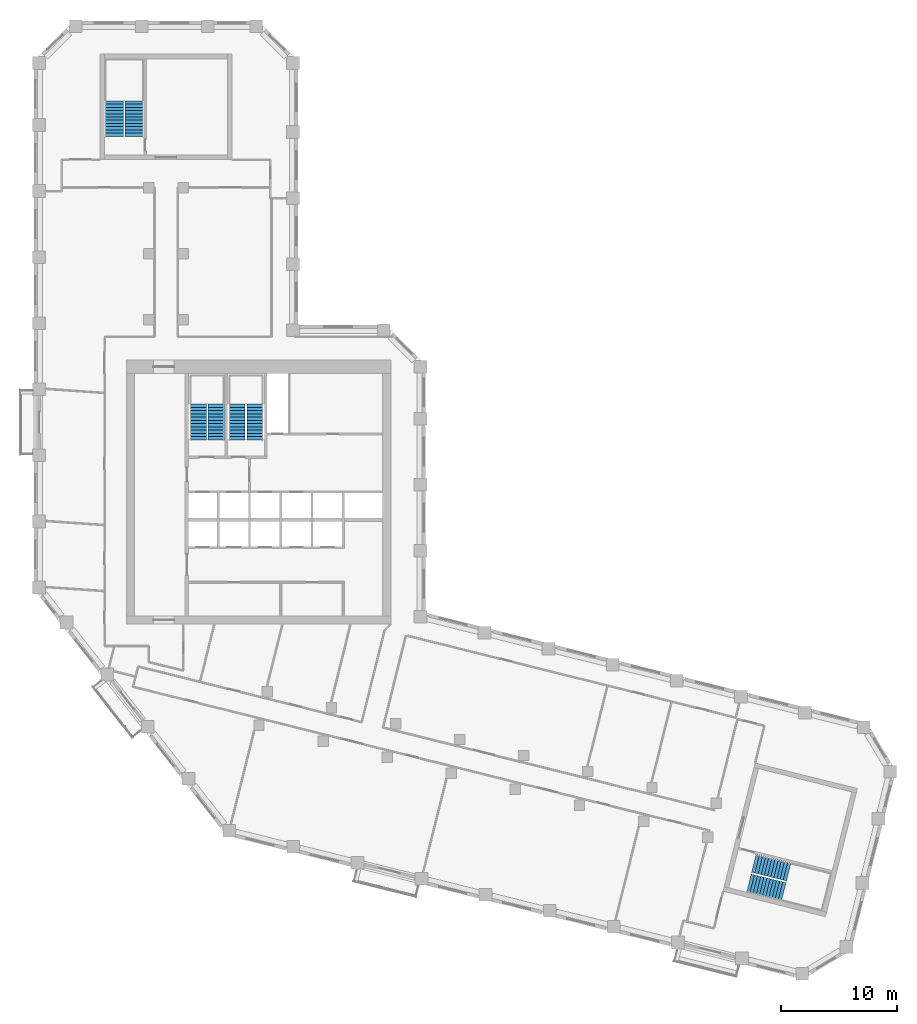
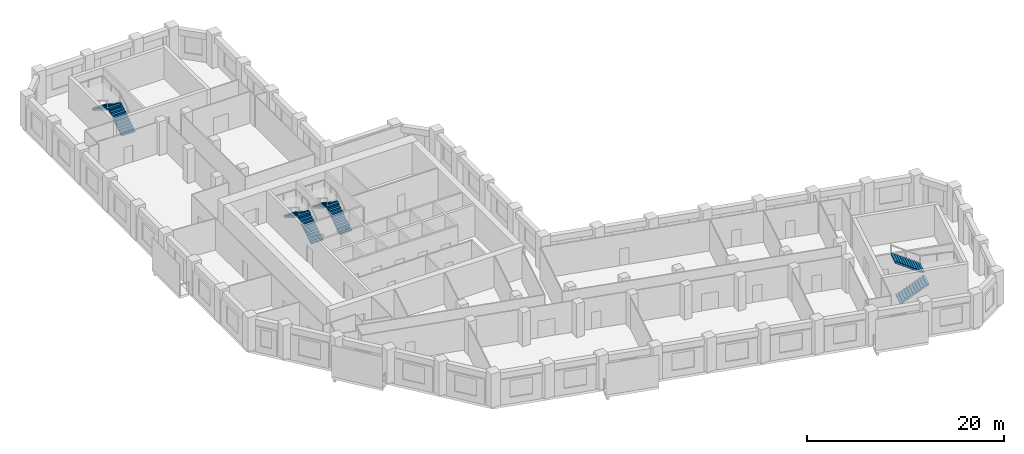
# One storey, part 9 of 10: 8 stair flights, 4 elements without a shape of their own.
"""IFC4 building model written with IfcOpenShell, lengths in metres."""

from ifc_helpers import new_model, si_unit, direction, frame, origin, place, context, subcontext, project, spatial, polyline, outline, extrude, material, type_object, element, aggregate, save


model = new_model("IFC4")

# Units and contexts
model_context = context("Model", 3, precision=1e-05, world=origin(), true_north=direction((0.0, 1.0)))
body_context = subcontext(model_context, "Body", "Model", "MODEL_VIEW")
ifc_project = project(units=[si_unit("LENGTHUNIT", "METRE"), si_unit("AREAUNIT", "SQUARE_METRE"), si_unit("VOLUMEUNIT", "CUBIC_METRE"), si_unit("PLANEANGLEUNIT", "RADIAN"), si_unit("MASSUNIT", "GRAM", prefix="KILO")], contexts=[model_context])

# Site, building, storey
site_placement = place(None, origin())
site = spatial("IfcSite", under=ifc_project, at=site_placement, CompositionType="ELEMENT")
building_placement = place(site_placement, origin())
building = spatial("IfcBuilding", under=site, at=building_placement, Name="Meshkara Civic Tower", CompositionType="ELEMENT")
storey_placement = place(building_placement, frame((0.0, 0.0, 267.60009765625)))
storey = spatial("IfcBuildingStorey", under=building, at=storey_placement, Name="L61", CompositionType="ELEMENT", Elevation=267.60009765625)

# Stair, stair flights
ifc_material_1 = material(Name="Precast concrete C40/50", Category="concrete")
stair_type_1 = type_object("IfcStairType", Name="Exit stair half-turn 24 risers 1600 precast", PredefinedType="HALF_TURN_STAIR", material=ifc_material_1)
stair_1_placement = place(storey_placement, origin())
stair_1 = element("IfcStair", 1, at=stair_1_placement, inside=storey, type_object=stair_type_1, Name="L61 exit stair A from L50", PredefinedType="HALF_TURN_STAIR")
ifc_material_2 = material(Name="Precast concrete C40/50", Category="concrete")
stair_flight_type_1 = type_object("IfcStairFlightType", Name="Exit stair flight 12 risers 1600 precast", PredefinedType="STRAIGHT", material=ifc_material_2)
stair_flight_1_placement = place(storey_placement, frame((8.675048828125, 56.169921875, 0.0), z_axis=(0.0, 0.0, 1.0), x_axis=(0.0, 1.0, 0.0)))
stair_flight_1 = element("IfcStairFlight", 2, at=stair_flight_1_placement, type_object=stair_flight_type_1, Name="ESA4 flight 1", NumberOfRisers=12, NumberOfTreads=11, PredefinedType="STRAIGHT", RiserHeight=0.175, TreadLength=0.28, context=body_context, shape_type="SweptSolid", body=[
    extrude(outline(polyline([(0.0, 0.0), (0.0, 0.175048828125), (0.280029296875, 0.175048828125), (0.280029296875, 0.35009765625), (0.56005859375, 0.35009765625), (0.56005859375, 0.52490234375), (0.840087890625, 0.52490234375), (0.840087890625, 0.699951171875), (1.1201171875, 0.699951171875), (1.1201171875, 0.875), (1.39990234375, 0.875), (1.39990234375, 1.050048828125), (1.679931640625, 1.050048828125), (1.679931640625, 1.22509765625), (1.9599609375, 1.22509765625), (1.9599609375, 1.39990234375), (2.239990234375, 1.39990234375), (2.239990234375, 1.574951171875), (2.52001953125, 1.574951171875), (2.52001953125, 1.75), (2.800048828125, 1.75), (2.800048828125, 1.925048828125), (3.080078125, 1.925048828125), (3.080078125, 2.10009765625), (3.080078125, 1.748291015625), (0.28271484375, 0.0), (0.0, 0.0)])), frame((0.0, 0.800048828125, 0.0), z_axis=(0.0, -1.0, 0.0), x_axis=(1.0, 0.0, 0.0)), (0.0, 0.0, 1.0), 1.60009765625),
])
stair_flight_2_placement = place(storey_placement, frame((6.925048828125, 59.25, 2.099853515625), z_axis=(0.0, 0.0, 1.0), x_axis=(0.0, -1.0, 0.0)))
stair_flight_2 = element("IfcStairFlight", 3, at=stair_flight_2_placement, type_object=stair_flight_type_1, Name="ESA4 flight 2", NumberOfRisers=12, NumberOfTreads=11, PredefinedType="STRAIGHT", RiserHeight=0.175, TreadLength=0.28, context=body_context, shape_type="SweptSolid", body=[
    extrude(outline(polyline([(0.0, 0.0), (0.0, 0.175048828125), (0.280029296875, 0.175048828125), (0.280029296875, 0.35009765625), (0.56005859375, 0.35009765625), (0.56005859375, 0.52490234375), (0.840087890625, 0.52490234375), (0.840087890625, 0.699951171875), (1.1201171875, 0.699951171875), (1.1201171875, 0.875), (1.39990234375, 0.875), (1.39990234375, 1.050048828125), (1.679931640625, 1.050048828125), (1.679931640625, 1.22509765625), (1.9599609375, 1.22509765625), (1.9599609375, 1.39990234375), (2.239990234375, 1.39990234375), (2.239990234375, 1.574951171875), (2.52001953125, 1.574951171875), (2.52001953125, 1.75), (2.800048828125, 1.75), (2.800048828125, 1.925048828125), (3.080078125, 1.925048828125), (3.080078125, 2.10009765625), (3.080078125, 1.748291015625), (0.28271484375, 0.0), (0.0, 0.0)])), frame((0.0, 0.800048828125, 0.0), z_axis=(0.0, -1.0, 0.0), x_axis=(1.0, 0.0, 0.0)), (0.0, 0.0, 1.0), 1.60009765625),
])
aggregate(stair_1, [stair_flight_1, stair_flight_2])

stair_2_placement = place(storey_placement, origin())
stair_2 = element("IfcStair", 4, at=stair_2_placement, inside=storey, type_object=stair_type_1, Name="L61 exit stair B from L50", PredefinedType="HALF_TURN_STAIR")
stair_flight_3_placement = place(storey_placement, frame((61.70751953125, -8.248291015625, 0.0), z_axis=(0.0, 0.0, 1.0), x_axis=(0.970260066579, -0.242064873955, 0.0)))
stair_flight_3 = element("IfcStairFlight", 5, at=stair_flight_3_placement, type_object=stair_flight_type_1, Name="ESB4 flight 1", NumberOfRisers=12, NumberOfTreads=11, PredefinedType="STRAIGHT", RiserHeight=0.175, TreadLength=0.28, context=body_context, shape_type="SweptSolid", body=[
    extrude(outline(polyline([(0.0, 0.0), (0.0, 0.175048828125), (0.280029296875, 0.175048828125), (0.280029296875, 0.35009765625), (0.56005859375, 0.35009765625), (0.56005859375, 0.52490234375), (0.840087890625, 0.52490234375), (0.840087890625, 0.699951171875), (1.1201171875, 0.699951171875), (1.1201171875, 0.875), (1.39990234375, 0.875), (1.39990234375, 1.050048828125), (1.679931640625, 1.050048828125), (1.679931640625, 1.22509765625), (1.9599609375, 1.22509765625), (1.9599609375, 1.39990234375), (2.239990234375, 1.39990234375), (2.239990234375, 1.574951171875), (2.52001953125, 1.574951171875), (2.52001953125, 1.75), (2.800048828125, 1.75), (2.800048828125, 1.925048828125), (3.080078125, 1.925048828125), (3.080078125, 2.10009765625), (3.080078125, 1.748291015625), (0.28271484375, 0.0), (0.0, 0.0)])), frame((0.0, 0.800048828125, 0.0), z_axis=(0.0, -1.0, 0.0), x_axis=(1.0, 0.0, 0.0)), (0.0, 0.0, 1.0), 1.60009765625),
])
stair_flight_4_placement = place(storey_placement, frame((65.11962890625, -7.2958984375, 2.099853515625), z_axis=(0.0, 0.0, 1.0), x_axis=(-0.970260066579, 0.242064873955, 0.0)))
stair_flight_4 = element("IfcStairFlight", 6, at=stair_flight_4_placement, type_object=stair_flight_type_1, Name="ESB4 flight 2", NumberOfRisers=12, NumberOfTreads=11, PredefinedType="STRAIGHT", RiserHeight=0.175, TreadLength=0.28, context=body_context, shape_type="SweptSolid", body=[
    extrude(outline(polyline([(0.0, 0.0), (0.0, 0.175048828125), (0.280029296875, 0.175048828125), (0.280029296875, 0.35009765625), (0.56005859375, 0.35009765625), (0.56005859375, 0.52490234375), (0.840087890625, 0.52490234375), (0.840087890625, 0.699951171875), (1.1201171875, 0.699951171875), (1.1201171875, 0.875), (1.39990234375, 0.875), (1.39990234375, 1.050048828125), (1.679931640625, 1.050048828125), (1.679931640625, 1.22509765625), (1.9599609375, 1.22509765625), (1.9599609375, 1.39990234375), (2.239990234375, 1.39990234375), (2.239990234375, 1.574951171875), (2.52001953125, 1.574951171875), (2.52001953125, 1.75), (2.800048828125, 1.75), (2.800048828125, 1.925048828125), (3.080078125, 1.925048828125), (3.080078125, 2.10009765625), (3.080078125, 1.748291015625), (0.28271484375, 0.0), (0.0, 0.0)])), frame((0.0, 0.800048828125, 0.0), z_axis=(0.0, -1.0, 0.0), x_axis=(1.0, 0.0, 0.0)), (0.0, 0.0, 1.0), 1.60009765625),
])
aggregate(stair_2, [stair_flight_3, stair_flight_4])

ifc_material_3 = material(Name="Precast concrete C40/50", Category="concrete")
stair_type_2 = type_object("IfcStairType", Name="Exit stair half-turn 24 risers precast", PredefinedType="HALF_TURN_STAIR", material=ifc_material_3)
stair_3_placement = place(storey_placement, origin())
stair_3 = element("IfcStair", 7, at=stair_3_placement, inside=storey, type_object=stair_type_2, Name="L61 exit stair 1", PredefinedType="HALF_TURN_STAIR")
ifc_material_4 = material(Name="Precast concrete C40/50", Category="concrete")
stair_flight_type_2 = type_object("IfcStairFlightType", Name="Exit stair flight 12 risers precast", PredefinedType="STRAIGHT", material=ifc_material_4)
stair_flight_5_placement = place(storey_placement, frame((15.72509765625, 30.0, 0.0), z_axis=(0.0, 0.0, 1.0), x_axis=(0.0, 1.0, 0.0)))
stair_flight_5 = element("IfcStairFlight", 8, at=stair_flight_5_placement, type_object=stair_flight_type_2, Name="ST1 flight 1", NumberOfRisers=12, NumberOfTreads=11, PredefinedType="STRAIGHT", RiserHeight=0.175, TreadLength=0.28, context=body_context, shape_type="SweptSolid", body=[
    extrude(outline(polyline([(0.0, 0.0), (0.0, 0.175048828125), (0.280029296875, 0.175048828125), (0.280029296875, 0.35009765625), (0.56005859375, 0.35009765625), (0.56005859375, 0.52490234375), (0.840087890625, 0.52490234375), (0.840087890625, 0.699951171875), (1.1201171875, 0.699951171875), (1.1201171875, 0.875), (1.39990234375, 0.875), (1.39990234375, 1.050048828125), (1.679931640625, 1.050048828125), (1.679931640625, 1.22509765625), (1.9599609375, 1.22509765625), (1.9599609375, 1.39990234375), (2.239990234375, 1.39990234375), (2.239990234375, 1.574951171875), (2.52001953125, 1.574951171875), (2.52001953125, 1.75), (2.800048828125, 1.75), (2.800048828125, 1.925048828125), (3.080078125, 1.925048828125), (3.080078125, 2.10009765625), (3.080078125, 1.748291015625), (0.28271484375, 0.0), (0.0, 0.0)])), frame((0.0, 0.699951171875, 0.0), z_axis=(0.0, -1.0, 0.0), x_axis=(1.0, 0.0, 0.0)), (0.0, 0.0, 1.0), 1.39990234375),
])
stair_flight_6_placement = place(storey_placement, frame((14.175048828125, 33.080078125, 2.099853515625), z_axis=(0.0, 0.0, 1.0), x_axis=(0.0, -1.0, 0.0)))
stair_flight_6 = element("IfcStairFlight", 9, at=stair_flight_6_placement, type_object=stair_flight_type_2, Name="ST1 flight 2", NumberOfRisers=12, NumberOfTreads=11, PredefinedType="STRAIGHT", RiserHeight=0.175, TreadLength=0.28, context=body_context, shape_type="SweptSolid", body=[
    extrude(outline(polyline([(0.0, 0.0), (0.0, 0.175048828125), (0.280029296875, 0.175048828125), (0.280029296875, 0.35009765625), (0.56005859375, 0.35009765625), (0.56005859375, 0.52490234375), (0.840087890625, 0.52490234375), (0.840087890625, 0.699951171875), (1.1201171875, 0.699951171875), (1.1201171875, 0.875), (1.39990234375, 0.875), (1.39990234375, 1.050048828125), (1.679931640625, 1.050048828125), (1.679931640625, 1.22509765625), (1.9599609375, 1.22509765625), (1.9599609375, 1.39990234375), (2.239990234375, 1.39990234375), (2.239990234375, 1.574951171875), (2.52001953125, 1.574951171875), (2.52001953125, 1.75), (2.800048828125, 1.75), (2.800048828125, 1.925048828125), (3.080078125, 1.925048828125), (3.080078125, 2.10009765625), (3.080078125, 1.748291015625), (0.28271484375, 0.0), (0.0, 0.0)])), frame((0.0, 0.699951171875, 0.0), z_axis=(0.0, -1.0, 0.0), x_axis=(1.0, 0.0, 0.0)), (0.0, 0.0, 1.0), 1.39990234375),
])
aggregate(stair_3, [stair_flight_5, stair_flight_6])

stair_4_placement = place(storey_placement, origin())
stair_4 = element("IfcStair", 10, at=stair_4_placement, inside=storey, type_object=stair_type_2, Name="L61 exit stair 2", PredefinedType="HALF_TURN_STAIR")
stair_flight_7_placement = place(storey_placement, frame((19.074951171875, 30.0, 0.0), z_axis=(0.0, 0.0, 1.0), x_axis=(0.0, 1.0, 0.0)))
stair_flight_7 = element("IfcStairFlight", 11, at=stair_flight_7_placement, type_object=stair_flight_type_2, Name="ST2 flight 1", NumberOfRisers=12, NumberOfTreads=11, PredefinedType="STRAIGHT", RiserHeight=0.175, TreadLength=0.28, context=body_context, shape_type="SweptSolid", body=[
    extrude(outline(polyline([(0.0, 0.0), (0.0, 0.175048828125), (0.280029296875, 0.175048828125), (0.280029296875, 0.35009765625), (0.56005859375, 0.35009765625), (0.56005859375, 0.52490234375), (0.840087890625, 0.52490234375), (0.840087890625, 0.699951171875), (1.1201171875, 0.699951171875), (1.1201171875, 0.875), (1.39990234375, 0.875), (1.39990234375, 1.050048828125), (1.679931640625, 1.050048828125), (1.679931640625, 1.22509765625), (1.9599609375, 1.22509765625), (1.9599609375, 1.39990234375), (2.239990234375, 1.39990234375), (2.239990234375, 1.574951171875), (2.52001953125, 1.574951171875), (2.52001953125, 1.75), (2.800048828125, 1.75), (2.800048828125, 1.925048828125), (3.080078125, 1.925048828125), (3.080078125, 2.10009765625), (3.080078125, 1.748291015625), (0.28271484375, 0.0), (0.0, 0.0)])), frame((0.0, 0.699951171875, 0.0), z_axis=(0.0, -1.0, 0.0), x_axis=(1.0, 0.0, 0.0)), (0.0, 0.0, 1.0), 1.39990234375),
])
stair_flight_8_placement = place(storey_placement, frame((17.52490234375, 33.080078125, 2.099853515625), z_axis=(0.0, 0.0, 1.0), x_axis=(0.0, -1.0, 0.0)))
stair_flight_8 = element("IfcStairFlight", 12, at=stair_flight_8_placement, type_object=stair_flight_type_2, Name="ST2 flight 2", NumberOfRisers=12, NumberOfTreads=11, PredefinedType="STRAIGHT", RiserHeight=0.175, TreadLength=0.28, context=body_context, shape_type="SweptSolid", body=[
    extrude(outline(polyline([(0.0, 0.0), (0.0, 0.175048828125), (0.280029296875, 0.175048828125), (0.280029296875, 0.35009765625), (0.56005859375, 0.35009765625), (0.56005859375, 0.52490234375), (0.840087890625, 0.52490234375), (0.840087890625, 0.699951171875), (1.1201171875, 0.699951171875), (1.1201171875, 0.875), (1.39990234375, 0.875), (1.39990234375, 1.050048828125), (1.679931640625, 1.050048828125), (1.679931640625, 1.22509765625), (1.9599609375, 1.22509765625), (1.9599609375, 1.39990234375), (2.239990234375, 1.39990234375), (2.239990234375, 1.574951171875), (2.52001953125, 1.574951171875), (2.52001953125, 1.75), (2.800048828125, 1.75), (2.800048828125, 1.925048828125), (3.080078125, 1.925048828125), (3.080078125, 2.10009765625), (3.080078125, 1.748291015625), (0.28271484375, 0.0), (0.0, 0.0)])), frame((0.0, 0.699951171875, 0.0), z_axis=(0.0, -1.0, 0.0), x_axis=(1.0, 0.0, 0.0)), (0.0, 0.0, 1.0), 1.39990234375),
])
aggregate(stair_4, [stair_flight_7, stair_flight_8])

save(model, "model.ifc")
